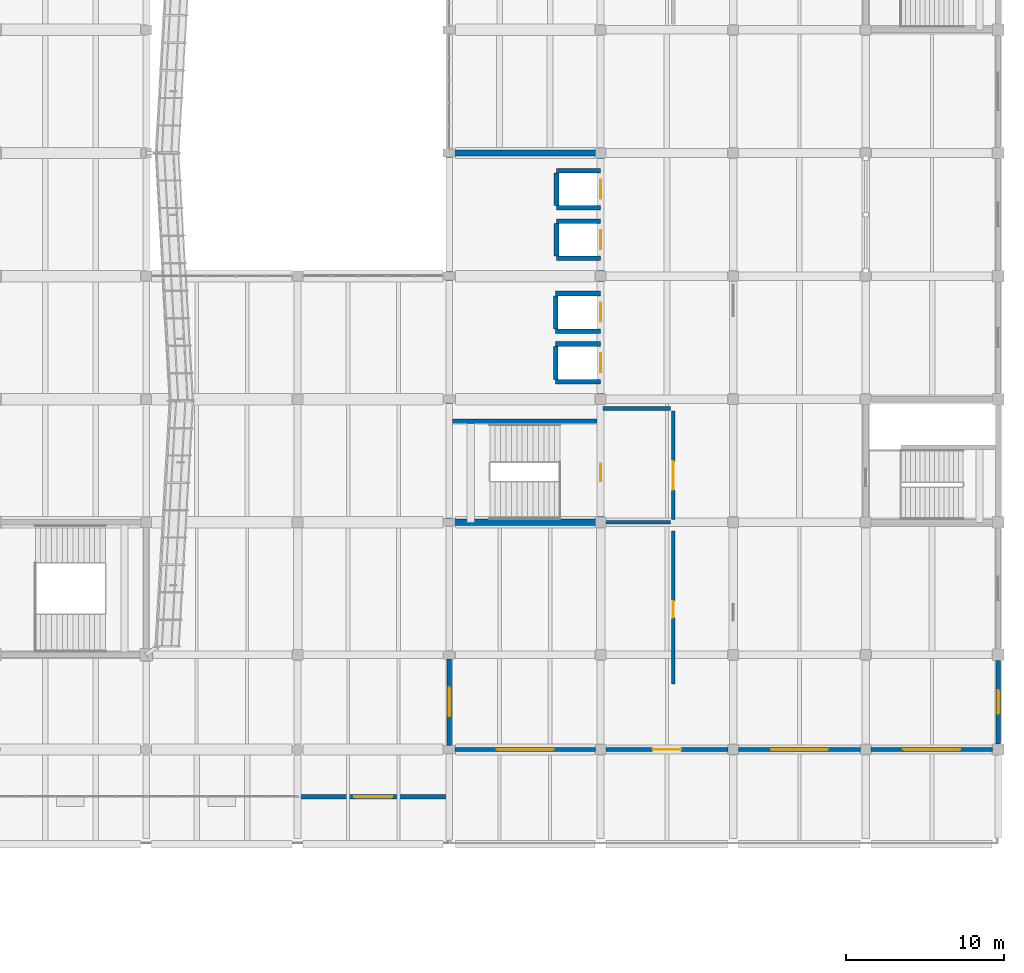
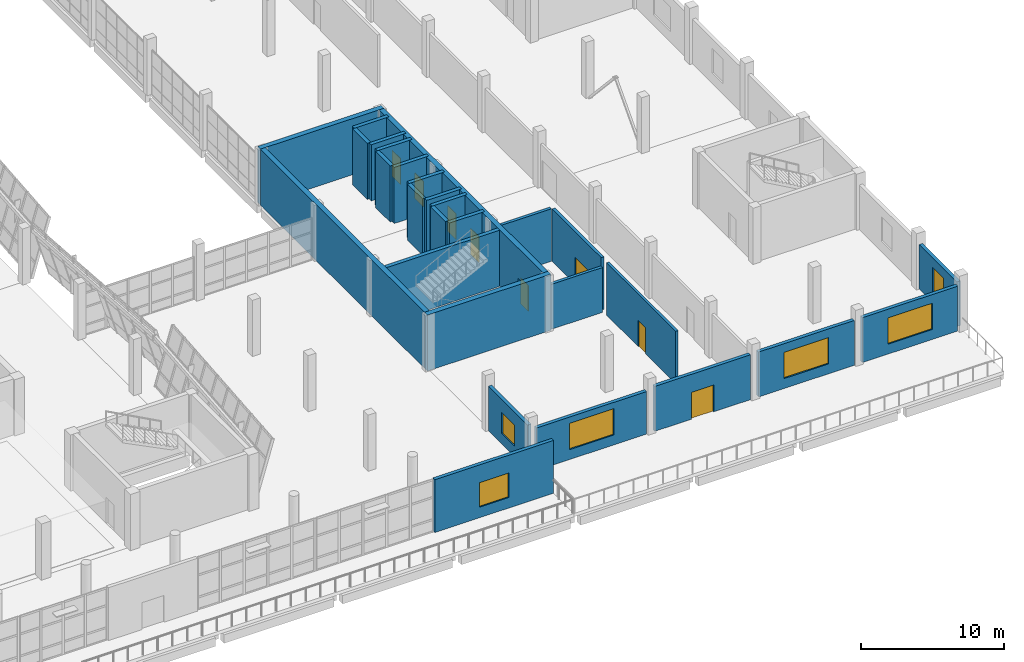
# One storey, part 68 of 79: 28 walls, 8 doors, 6 windows, 14 openings.
"""IFC4 building model written with IfcOpenShell, lengths in metres."""

from ifc_helpers import new_model, si_unit, direction, frame, frame_2d, origin, place, context, subcontext, project, spatial, rectangle, extrude, material, layer, layer_set, type_object, element, fill, save


model = new_model("IFC4")

# Units and contexts
model_context = context("Model", 3, precision=1e-05, world=origin(), true_north=direction((0.0, 1.0)))
body_context = subcontext(model_context, "Body", "Model", "MODEL_VIEW")
ifc_project = project(units=[si_unit("LENGTHUNIT", "METRE"), si_unit("AREAUNIT", "SQUARE_METRE"), si_unit("VOLUMEUNIT", "CUBIC_METRE"), si_unit("PLANEANGLEUNIT", "RADIAN"), si_unit("MASSUNIT", "GRAM", prefix="KILO")], contexts=[model_context])

# Site, building, storey
site_placement = place(None, origin())
site = spatial("IfcSite", under=ifc_project, at=site_placement, CompositionType="ELEMENT")
building_placement = place(site_placement, origin())
building = spatial("IfcBuilding", under=site, at=building_placement, Name="Pellamere Symphony Hall", CompositionType="ELEMENT")
storey_placement = place(building_placement, frame((0.0, 0.0, 10.199951171875)))
storey = spatial("IfcBuildingStorey", under=building, at=storey_placement, Name="L02", CompositionType="ELEMENT", Elevation=10.199951171875)

# Wall, opening, window
ifc_material_1 = material(Name="Architectural Limestone-Clad Insulated Backing Assembly", Category="masonry")
ifc_layer_1 = layer(ifc_material_1, 0.280029296875, Name="Architectural Limestone-Clad Insulated Backing Assembly")
ifc_layer_set_1 = layer_set([ifc_layer_1], Name="Architectural Limestone-Clad Insulated Backing Assembly")
wall_type_1 = type_object("IfcWallType", Name="Exterior Wall EW-03 280mm", PredefinedType="SOLIDWALL", material=ifc_layer_set_1)
wall_1_placement = place(storey_placement, frame((128.39990234375, 21.0, 0.0), z_axis=(0.0, 0.0, 1.0), x_axis=(1.0, 0.0, 0.0)))
wall_1 = element("IfcWall", 1, at=wall_1_placement, inside=storey, type_object=wall_type_1, Name="Exterior Wall EW-03-052 (L02)", PredefinedType="SOLIDWALL", context=body_context, shape_type="SweptSolid", body=[
    extrude(rectangle(XDim=9.60009765625, YDim=0.280029296875, at=frame_2d((4.800048828125, 0.0))), origin(), (0.0, 0.0, 1.0), 4.52001953125),
])
opening_1_placement = place(wall_1_placement, frame((3.60009765625, 0.0, 0.89990234375)))
opening_1 = element("IfcOpeningElement", 2, at=opening_1_placement, cuts=wall_1, Name="Opening W031", PredefinedType="OPENING", context=body_context, shape_type="SweptSolid", body=[
    extrude(rectangle(XDim=2.39990234375, YDim=2.10009765625, at=frame_2d((1.199951171875, 1.050048828125))), frame((0.0, 0.14990234375, 0.0), z_axis=(0.0, -1.0, 0.0), x_axis=(1.0, 0.0, 0.0)), (0.0, 0.0, 1.0), 0.300048828125),
])
ifc_material_2 = material(Name="Thermally Broken Aluminium Triple-Glazed Acoustic Window", Category="aluminium")
window_type_1 = type_object("IfcWindowType", Name="Window WN-02 2400x2100", PartitioningType="DOUBLE_PANEL_VERTICAL", PredefinedType="WINDOW", material=ifc_material_2)
window_1_placement = place(opening_1_placement, origin())
window_1 = element("IfcWindow", 3, at=window_1_placement, inside=storey, type_object=window_type_1, Name="Exterior Window W031 (L02)", OverallHeight=2.10009765625, OverallWidth=2.39990234375, PartitioningType="SINGLE_PANEL", PredefinedType="WINDOW", context=body_context, shape_type="SweptSolid", body=[
    extrude(rectangle(XDim=2.39990234375, YDim=2.10009765625, at=frame_2d((1.199951171875, 1.050048828125))), frame((0.0, 0.030029296875, 0.0), z_axis=(0.0, -1.0, 0.0), x_axis=(1.0, 0.0, 0.0)), (0.0, 0.0, 1.0), 0.06005859375),
])
fill(opening_1, window_1)

wall_2_placement = place(storey_placement, frame((138.375, 24.0, 0.0), z_axis=(0.0, 0.0, 1.0), x_axis=(1.0, 0.0, 0.0)))
wall_2 = element("IfcWall", 4, at=wall_2_placement, inside=storey, type_object=wall_type_1, Name="Exterior Wall EW-03-097 (L02)", PredefinedType="SOLIDWALL", context=body_context, shape_type="SweptSolid", body=[
    extrude(rectangle(XDim=8.89990234375, YDim=0.280029296875, at=frame_2d((4.449951171875, 0.0))), origin(), (0.0, 0.0, 1.0), 3.64013671875),
])
opening_2_placement = place(wall_2_placement, frame((2.64990234375, 0.0, 0.85009765625)))
opening_2 = element("IfcOpeningElement", 5, at=opening_2_placement, cuts=wall_2, Name="Opening W062", PredefinedType="OPENING", context=body_context, shape_type="SweptSolid", body=[
    extrude(rectangle(XDim=3.60009765625, YDim=2.25, at=frame_2d((1.800048828125, 1.125))), frame((0.0, 0.14990234375, 0.0), z_axis=(0.0, -1.0, 0.0), x_axis=(1.0, 0.0, 0.0)), (0.0, 0.0, 1.0), 0.300048828125),
])
window_type_2 = type_object("IfcWindowType", Name="Window WN-05 3600x2250", PartitioningType="TRIPLE_PANEL_VERTICAL", PredefinedType="WINDOW", material=ifc_material_2)
window_2_placement = place(opening_2_placement, origin())
window_2 = element("IfcWindow", 6, at=window_2_placement, inside=storey, type_object=window_type_2, Name="Exterior Window W062 (L02)", OverallHeight=2.25, OverallWidth=3.60009765625, PartitioningType="SINGLE_PANEL", PredefinedType="WINDOW", context=body_context, shape_type="SweptSolid", body=[
    extrude(rectangle(XDim=3.60009765625, YDim=2.25, at=frame_2d((1.800048828125, 1.125))), frame((0.0, 0.030029296875, 0.0), z_axis=(0.0, -1.0, 0.0), x_axis=(1.0, 0.0, 0.0)), (0.0, 0.0, 1.0), 0.06005859375),
])
fill(opening_2, window_2)

# Wall, opening, door
wall_3_placement = place(storey_placement, frame((147.925048828125, 24.0, 0.0), z_axis=(0.0, 0.0, 1.0), x_axis=(1.0, 0.0, 0.0)))
wall_3 = element("IfcWall", 7, at=wall_3_placement, inside=storey, type_object=wall_type_1, Name="Exterior Wall EW-03-098 (L02)", PredefinedType="SOLIDWALL", context=body_context, shape_type="SweptSolid", body=[
    extrude(rectangle(XDim=7.75, YDim=0.280029296875, at=frame_2d((3.875, 0.0))), origin(), (0.0, 0.0, 1.0), 3.840087890625),
])
opening_3_placement = place(wall_3_placement, frame((2.97509765625, 0.0, 0.0)))
opening_3 = element("IfcOpeningElement", 8, at=opening_3_placement, cuts=wall_3, Name="Opening TD-08", PredefinedType="OPENING", context=body_context, shape_type="SweptSolid", body=[
    extrude(rectangle(XDim=1.800048828125, YDim=2.300048828125, at=frame_2d((0.89990234375, 1.14990234375))), frame((0.0, 0.14990234375, 0.0), z_axis=(0.0, -1.0, 0.0), x_axis=(1.0, 0.0, 0.0)), (0.0, 0.0, 1.0), 0.300048828125),
])
ifc_material_3 = material(Name="Thermally Broken Bronze-Anodised Aluminium Acoustic Door", Category="aluminium")
door_type_1 = type_object("IfcDoorType", Name="Exterior Door ED-06 1800x2300", OperationType="NOTDEFINED", PredefinedType="DOOR", material=ifc_material_3)
door_1_placement = place(opening_3_placement, frame((1.800048828125, 0.0, 0.0), z_axis=(0.0, 0.0, 1.0), x_axis=(-1.0, 0.0, 0.0)))
door_1 = element("IfcDoor", 9, at=door_1_placement, inside=storey, type_object=door_type_1, Name="South Artists Roof Terrace Door", OperationType="DOUBLE_DOOR_SINGLE_SWING", OverallHeight=2.300048828125, OverallWidth=1.800048828125, PredefinedType="DOOR", context=body_context, shape_type="SweptSolid", body=[
    extrude(rectangle(XDim=1.800048828125, YDim=2.300048828125, at=frame_2d((0.89990234375, 1.14990234375))), frame((0.0, 0.02490234375, 0.0), z_axis=(0.0, -1.0, 0.0), x_axis=(1.0, 0.0, 0.0)), (0.0, 0.0, 1.0), 0.050048828125),
])
fill(opening_3, door_1)

# Wall, opening, window
wall_4_placement = place(storey_placement, frame((156.324951171875, 24.0, 0.0), z_axis=(0.0, 0.0, 1.0), x_axis=(1.0, 0.0, 0.0)))
wall_4 = element("IfcWall", 10, at=wall_4_placement, inside=storey, type_object=wall_type_1, Name="Exterior Wall EW-03-099 (L02)", PredefinedType="SOLIDWALL", context=body_context, shape_type="SweptSolid", body=[
    extrude(rectangle(XDim=7.75, YDim=0.280029296875, at=frame_2d((3.875, 0.0))), origin(), (0.0, 0.0, 1.0), 3.840087890625),
])
opening_4_placement = place(wall_4_placement, frame((2.074951171875, 0.0, 0.85009765625)))
opening_4 = element("IfcOpeningElement", 11, at=opening_4_placement, cuts=wall_4, Name="Opening W063", PredefinedType="OPENING", context=body_context, shape_type="SweptSolid", body=[
    extrude(rectangle(XDim=3.60009765625, YDim=2.25, at=frame_2d((1.800048828125, 1.125))), frame((0.0, 0.14990234375, 0.0), z_axis=(0.0, -1.0, 0.0), x_axis=(1.0, 0.0, 0.0)), (0.0, 0.0, 1.0), 0.300048828125),
])
window_3_placement = place(opening_4_placement, origin())
window_3 = element("IfcWindow", 12, at=window_3_placement, inside=storey, type_object=window_type_2, Name="Exterior Window W063 (L02)", OverallHeight=2.25, OverallWidth=3.60009765625, PartitioningType="SINGLE_PANEL", PredefinedType="WINDOW", context=body_context, shape_type="SweptSolid", body=[
    extrude(rectangle(XDim=3.60009765625, YDim=2.25, at=frame_2d((1.800048828125, 1.125))), frame((0.0, 0.030029296875, 0.0), z_axis=(0.0, -1.0, 0.0), x_axis=(1.0, 0.0, 0.0)), (0.0, 0.0, 1.0), 0.06005859375),
])
fill(opening_4, window_3)

wall_5_placement = place(storey_placement, frame((164.72509765625, 24.0, 0.0), z_axis=(0.0, 0.0, 1.0), x_axis=(1.0, 0.0, 0.0)))
wall_5 = element("IfcWall", 13, at=wall_5_placement, inside=storey, type_object=wall_type_1, Name="Exterior Wall EW-03-100 (L02)", PredefinedType="SOLIDWALL", context=body_context, shape_type="SweptSolid", body=[
    extrude(rectangle(XDim=7.71484375, YDim=0.280029296875, at=frame_2d((3.857421875, 0.0))), origin(), (0.0, 0.0, 1.0), 3.840087890625),
])
opening_5_placement = place(wall_5_placement, frame((2.0576171875, 0.0, 0.85009765625)))
opening_5 = element("IfcOpeningElement", 14, at=opening_5_placement, cuts=wall_5, Name="Opening W064", PredefinedType="OPENING", context=body_context, shape_type="SweptSolid", body=[
    extrude(rectangle(XDim=3.60009765625, YDim=2.25, at=frame_2d((1.800048828125, 1.125))), frame((0.0, 0.14990234375, 0.0), z_axis=(0.0, -1.0, 0.0), x_axis=(1.0, 0.0, 0.0)), (0.0, 0.0, 1.0), 0.300048828125),
])
window_4_placement = place(opening_5_placement, origin())
window_4 = element("IfcWindow", 15, at=window_4_placement, inside=storey, type_object=window_type_2, Name="Exterior Window W064 (L02)", OverallHeight=2.25, OverallWidth=3.60009765625, PartitioningType="SINGLE_PANEL", PredefinedType="WINDOW", context=body_context, shape_type="SweptSolid", body=[
    extrude(rectangle(XDim=3.60009765625, YDim=2.25, at=frame_2d((1.800048828125, 1.125))), frame((0.0, 0.030029296875, 0.0), z_axis=(0.0, -1.0, 0.0), x_axis=(1.0, 0.0, 0.0)), (0.0, 0.0, 1.0), 0.06005859375),
])
fill(opening_5, window_4)

wall_6_placement = place(storey_placement, frame((172.800048828125, 24.360107421875, 0.0), z_axis=(0.0, 0.0, 1.0), x_axis=(0.0, 1.0, 0.0)))
wall_6 = element("IfcWall", 16, at=wall_6_placement, inside=storey, type_object=wall_type_1, Name="Exterior Wall EW-03-104 (L02)", PredefinedType="SOLIDWALL", context=body_context, shape_type="SweptSolid", body=[
    extrude(rectangle(XDim=5.27978515625, YDim=0.280029296875, at=frame_2d((2.639892578125, 0.0))), origin(), (0.0, 0.0, 1.0), 3.820068359375),
])
opening_6_placement = place(wall_6_placement, frame((1.889892578125, 0.0, 0.89990234375)))
opening_6 = element("IfcOpeningElement", 17, at=opening_6_placement, cuts=wall_6, Name="Opening W067", PredefinedType="OPENING", context=body_context, shape_type="SweptSolid", body=[
    extrude(rectangle(XDim=1.5, YDim=2.10009765625, at=frame_2d((0.75, 1.050048828125))), frame((0.0, 0.14990234375, 0.0), z_axis=(0.0, -1.0, 0.0), x_axis=(1.0, 0.0, 0.0)), (0.0, 0.0, 1.0), 0.300048828125),
])
window_type_3 = type_object("IfcWindowType", Name="Window WN-01 1500x2100", PartitioningType="SINGLE_PANEL", PredefinedType="WINDOW", material=ifc_material_2)
window_5_placement = place(opening_6_placement, origin())
window_5 = element("IfcWindow", 18, at=window_5_placement, inside=storey, type_object=window_type_3, Name="Exterior Window W067 (L02)", OverallHeight=2.10009765625, OverallWidth=1.5, PartitioningType="SINGLE_PANEL", PredefinedType="WINDOW", context=body_context, shape_type="SweptSolid", body=[
    extrude(rectangle(XDim=1.5, YDim=2.10009765625, at=frame_2d((0.75, 1.050048828125))), frame((0.0, 0.030029296875, 0.0), z_axis=(0.0, -1.0, 0.0), x_axis=(1.0, 0.0, 0.0)), (0.0, 0.0, 1.0), 0.06005859375),
])
fill(opening_6, window_5)

wall_7_placement = place(storey_placement, frame((138.0, 24.25, 0.0), z_axis=(0.0, 0.0, 1.0), x_axis=(0.0, 1.0, 0.0)))
wall_7 = element("IfcWall", 19, at=wall_7_placement, inside=storey, type_object=wall_type_1, Name="Exterior Wall EW-03-110 (L02)", PredefinedType="SOLIDWALL", context=body_context, shape_type="SweptSolid", body=[
    extrude(rectangle(XDim=5.5, YDim=0.280029296875, at=frame_2d((2.75, 0.0))), origin(), (0.0, 0.0, 1.0), 3.820068359375),
])
opening_7_placement = place(wall_7_placement, frame((1.85009765625, 0.0, 0.89990234375)))
opening_7 = element("IfcOpeningElement", 20, at=opening_7_placement, cuts=wall_7, Name="Opening W073", PredefinedType="OPENING", context=body_context, shape_type="SweptSolid", body=[
    extrude(rectangle(XDim=1.800048828125, YDim=1.800048828125, at=frame_2d((0.89990234375, 0.89990234375))), frame((0.0, 0.14990234375, 0.0), z_axis=(0.0, -1.0, 0.0), x_axis=(1.0, 0.0, 0.0)), (0.0, 0.0, 1.0), 0.300048828125),
])
window_type_4 = type_object("IfcWindowType", Name="Window WN-03 1800x1800", PartitioningType="DOUBLE_PANEL_VERTICAL", PredefinedType="WINDOW", material=ifc_material_2)
window_6_placement = place(opening_7_placement, origin())
window_6 = element("IfcWindow", 21, at=window_6_placement, inside=storey, type_object=window_type_4, Name="Exterior Window W073 (L02)", OverallHeight=1.800048828125, OverallWidth=1.800048828125, PartitioningType="SINGLE_PANEL", PredefinedType="WINDOW", context=body_context, shape_type="SweptSolid", body=[
    extrude(rectangle(XDim=1.800048828125, YDim=1.800048828125, at=frame_2d((0.89990234375, 0.89990234375))), frame((0.0, 0.030029296875, 0.0), z_axis=(0.0, -1.0, 0.0), x_axis=(1.0, 0.0, 0.0)), (0.0, 0.0, 1.0), 0.06005859375),
])
fill(opening_7, window_6)

# Walls
ifc_material_4 = material(Name="Double-Stud STC-65 Acoustic Drywall Partition", Category="gypsum")
ifc_layer_2 = layer(ifc_material_4, 0.239990234375, Name="Double-Stud STC-65 Acoustic Drywall Partition")
ifc_layer_set_2 = layer_set([ifc_layer_2], Name="Double-Stud STC-65 Acoustic Drywall Partition")
wall_type_2 = type_object("IfcWallType", Name="Interior Partition IW-01 240mm", PredefinedType="PARTITIONING", material=ifc_layer_set_2)
wall_8_placement = place(storey_placement, frame((147.760009765625, 38.39990234375, 0.0), z_axis=(0.0, 0.0, 1.0), x_axis=(1.0, 0.0, 0.0)))
element("IfcWall", 22, at=wall_8_placement, inside=storey, type_object=wall_type_2, Name="Interior Partition IW-01-030 (L02)", PredefinedType="PARTITIONING", context=body_context, shape_type="SweptSolid", body=[
    extrude(rectangle(XDim=4.280029296875, YDim=0.239990234375, at=frame_2d((2.14013671875, 0.0))), origin(), (0.0, 0.0, 1.0), 3.840087890625),
])
wall_9_placement = place(storey_placement, frame((147.760009765625, 45.60009765625, 0.0), z_axis=(0.0, 0.0, 1.0), x_axis=(1.0, 0.0, 0.0)))
element("IfcWall", 23, at=wall_9_placement, inside=storey, type_object=wall_type_2, Name="Interior Partition IW-01-031 (L02)", PredefinedType="PARTITIONING", context=body_context, shape_type="SweptSolid", body=[
    extrude(rectangle(XDim=4.280029296875, YDim=0.239990234375, at=frame_2d((2.14013671875, 0.0))), origin(), (0.0, 0.0, 1.0), 4.489990234375),
])

# Wall, opening, door
wall_10_placement = place(storey_placement, frame((152.199951171875, 38.56005859375, 0.0), z_axis=(0.0, 0.0, 1.0), x_axis=(0.0, 1.0, 0.0)))
wall_10 = element("IfcWall", 24, at=wall_10_placement, inside=storey, type_object=wall_type_2, Name="Interior Partition IW-01-032 (L02)", PredefinedType="PARTITIONING", context=body_context, shape_type="SweptSolid", body=[
    extrude(rectangle(XDim=6.8798828125, YDim=0.239990234375, at=frame_2d((3.43994140625, 0.0))), origin(), (0.0, 0.0, 1.0), 4.489990234375),
])
opening_8_placement = place(wall_10_placement, frame((1.89990234375, 0.0, 0.0)))
opening_8 = element("IfcOpeningElement", 25, at=opening_8_placement, cuts=wall_10, Name="Opening FD-14", PredefinedType="OPENING", context=body_context, shape_type="SweptSolid", body=[
    extrude(rectangle(XDim=1.800048828125, YDim=2.300048828125, at=frame_2d((0.89990234375, 1.14990234375))), frame((0.0, 0.1298828125, 0.0), z_axis=(0.0, -1.0, 0.0), x_axis=(1.0, 0.0, 0.0)), (0.0, 0.0, 1.0), 0.260009765625),
])
ifc_material_5 = material(Name="Fire-Rated Cross-Corridor Double Door", Category="wood")
door_type_2 = type_object("IfcDoorType", Name="Interior Door ID-FD1 1800x2300", OperationType="NOTDEFINED", PredefinedType="DOOR", material=ifc_material_5)
door_2_placement = place(opening_8_placement, origin())
door_2 = element("IfcDoor", 26, at=door_2_placement, inside=storey, type_object=door_type_2, Name="Firefighting Lobby C2 Foyer Entry Door (L02)", OperationType="DOUBLE_DOOR_SINGLE_SWING", OverallHeight=2.300048828125, OverallWidth=1.800048828125, PredefinedType="DOOR", context=body_context, shape_type="SweptSolid", body=[
    extrude(rectangle(XDim=1.800048828125, YDim=2.300048828125, at=frame_2d((0.89990234375, 1.14990234375))), frame((0.0, 0.02490234375, 0.0), z_axis=(0.0, -1.0, 0.0), x_axis=(1.0, 0.0, 0.0)), (0.0, 0.0, 1.0), 0.050048828125),
])
fill(opening_8, door_2)

ifc_material_6 = material(Name="Fire-Rated STC-58 Corridor Acoustic Partition", Category="gypsum")
ifc_layer_3 = layer(ifc_material_6, 0.199951171875, Name="Fire-Rated STC-58 Corridor Acoustic Partition")
ifc_layer_set_3 = layer_set([ifc_layer_3], Name="Fire-Rated STC-58 Corridor Acoustic Partition")
wall_type_3 = type_object("IfcWallType", Name="Interior Partition IW-02 200mm", PredefinedType="PARTITIONING", material=ifc_layer_set_3)
wall_11_placement = place(storey_placement, frame((152.199951171875, 28.159912109375, 0.0), z_axis=(0.0, 0.0, 1.0), x_axis=(0.0, 1.0, 0.0)))
wall_11 = element("IfcWall", 27, at=wall_11_placement, inside=storey, type_object=wall_type_3, Name="Interior Partition IW-02-084 (L02)", PredefinedType="PARTITIONING", context=body_context, shape_type="SweptSolid", body=[
    extrude(rectangle(XDim=9.68017578125, YDim=0.199951171875, at=frame_2d((4.840087890625, 0.0))), origin(), (0.0, 0.0, 1.0), 4.489990234375),
])
opening_9_placement = place(wall_11_placement, frame((4.199951171875, 0.0, 0.0)))
opening_9 = element("IfcOpeningElement", 28, at=opening_9_placement, cuts=wall_11, Name="Opening ID-AD2-046", PredefinedType="OPENING", context=body_context, shape_type="SweptSolid", body=[
    extrude(rectangle(XDim=1.050048828125, YDim=2.25, at=frame_2d((0.52490234375, 1.125))), frame((0.0, 0.10986328125, 0.0), z_axis=(0.0, -1.0, 0.0), x_axis=(1.0, 0.0, 0.0)), (0.0, 0.0, 1.0), 0.219970703125),
])
ifc_material_7 = material(Name="STC-50 Oak Acoustic Studio Door", Category="wood")
door_type_3 = type_object("IfcDoorType", Name="Interior Door ID-AD2 1050x2250", OperationType="NOTDEFINED", PredefinedType="DOOR", material=ifc_material_7)
door_3_placement = place(opening_9_placement, origin())
door_3 = element("IfcDoor", 29, at=door_3_placement, inside=storey, type_object=door_type_3, Name="Chamber Strings Studio Door", OperationType="SINGLE_SWING_LEFT", OverallHeight=2.25, OverallWidth=1.050048828125, PredefinedType="DOOR", context=body_context, shape_type="SweptSolid", body=[
    extrude(rectangle(XDim=1.050048828125, YDim=2.25, at=frame_2d((0.52490234375, 1.125))), frame((0.0, 0.02490234375, 0.0), z_axis=(0.0, -1.0, 0.0), x_axis=(1.0, 0.0, 0.0)), (0.0, 0.0, 1.0), 0.050048828125),
])
fill(opening_9, door_3)

# Walls
ifc_material_8 = material(Name="Concrete 50 MPa", Category="concrete")
ifc_layer_4 = layer(ifc_material_8, 0.39990234375, Name="Concrete 50 MPa")
ifc_layer_set_4 = layer_set([ifc_layer_4], Name="Concrete 50 MPa")
wall_type_4 = type_object("IfcWallType", Name="Structural Wall SW-02 400mm", PredefinedType="SHEAR", material=ifc_layer_set_4)
for number, where, z_axis, x_axis, name in (
    (30, (137.800048828125, 38.39990234375, 0.0), (0.0, 0.0, 1.0), (1.0, 0.0, 0.0), "Core Shear Wall C2 S (L02)"),
    (31, (137.800048828125, 61.800048828125, 0.0), (0.0, 0.0, 1.0), (1.0, 0.0, 0.0), "Core Shear Wall C2 N (L02)"),
):
    element("IfcWall", number, at=place(storey_placement, frame(where, z_axis=z_axis, x_axis=x_axis)), inside=storey, type_object=wall_type_4, Name=name, PredefinedType="SHEAR", context=body_context, shape_type="SweptSolid", body=[
        extrude(rectangle(XDim=10.0, YDim=0.39990234375, at=frame_2d((5.0, 0.0))), origin(), (0.0, 0.0, 1.0), 4.800048828125),
    ])
wall_12_placement = place(storey_placement, frame((138.0, 38.60009765625, 0.0), z_axis=(0.0, 0.0, 1.0), x_axis=(0.0, 1.0, 0.0)))
element("IfcWall", 32, at=wall_12_placement, inside=storey, type_object=wall_type_4, Name="Core Shear Wall C2 W (L02)", PredefinedType="SHEAR", context=body_context, shape_type="SweptSolid", body=[
    extrude(rectangle(XDim=23.0, YDim=0.39990234375, at=frame_2d((11.5, 0.0))), origin(), (0.0, 0.0, 1.0), 4.800048828125),
])

# Wall, openings, doors
wall_13_placement = place(storey_placement, frame((147.60009765625, 38.60009765625, 0.0), z_axis=(0.0, 0.0, 1.0), x_axis=(0.0, 1.0, 0.0)))
wall_13 = element("IfcWall", 33, at=wall_13_placement, inside=storey, type_object=wall_type_4, Name="Core Shear Wall C2 E (L02)", PredefinedType="SHEAR", context=body_context, shape_type="SweptSolid", body=[
    extrude(rectangle(XDim=23.0, YDim=0.39990234375, at=frame_2d((11.5, 0.0))), origin(), (0.0, 0.0, 1.0), 4.800048828125),
])
opening_10_placement = place(wall_13_placement, frame((9.300048828125, 0.0, 0.0)))
opening_10 = element("IfcOpeningElement", 34, at=opening_10_placement, cuts=wall_13, Name="Opening LD-16", PredefinedType="OPENING", context=body_context, shape_type="SweptSolid", body=[
    extrude(rectangle(XDim=1.199951171875, YDim=2.199951171875, at=frame_2d((0.60009765625, 1.10009765625))), frame((0.0, 0.2099609375, 0.0), z_axis=(0.0, -1.0, 0.0), x_axis=(1.0, 0.0, 0.0)), (0.0, 0.0, 1.0), 0.419921875),
])
opening_11_placement = place(wall_13_placement, frame((12.5, 0.0, 0.0)))
opening_11 = element("IfcOpeningElement", 35, at=opening_11_placement, cuts=wall_13, Name="Opening LD-24", PredefinedType="OPENING", context=body_context, shape_type="SweptSolid", body=[
    extrude(rectangle(XDim=1.199951171875, YDim=2.199951171875, at=frame_2d((0.60009765625, 1.10009765625))), frame((0.0, 0.2099609375, 0.0), z_axis=(0.0, -1.0, 0.0), x_axis=(1.0, 0.0, 0.0)), (0.0, 0.0, 1.0), 0.419921875),
])
opening_12_placement = place(wall_13_placement, frame((17.10009765625, 0.0, 0.0)))
opening_12 = element("IfcOpeningElement", 36, at=opening_12_placement, cuts=wall_13, Name="Opening LD-32", PredefinedType="OPENING", context=body_context, shape_type="SweptSolid", body=[
    extrude(rectangle(XDim=1.199951171875, YDim=2.199951171875, at=frame_2d((0.60009765625, 1.10009765625))), frame((0.0, 0.2099609375, 0.0), z_axis=(0.0, -1.0, 0.0), x_axis=(1.0, 0.0, 0.0)), (0.0, 0.0, 1.0), 0.419921875),
])
opening_13_placement = place(wall_13_placement, frame((20.300048828125, 0.0, 0.0)))
opening_13 = element("IfcOpeningElement", 37, at=opening_13_placement, cuts=wall_13, Name="Opening LD-39", PredefinedType="OPENING", context=body_context, shape_type="SweptSolid", body=[
    extrude(rectangle(XDim=1.199951171875, YDim=2.199951171875, at=frame_2d((0.60009765625, 1.10009765625))), frame((0.0, 0.2099609375, 0.0), z_axis=(0.0, -1.0, 0.0), x_axis=(1.0, 0.0, 0.0)), (0.0, 0.0, 1.0), 0.419921875),
])
opening_14_placement = place(wall_13_placement, frame((2.39990234375, 0.0, 0.0)))
opening_14 = element("IfcOpeningElement", 38, at=opening_14_placement, cuts=wall_13, Name="Opening SD-10", PredefinedType="OPENING", context=body_context, shape_type="SweptSolid", body=[
    extrude(rectangle(XDim=1.10009765625, YDim=2.199951171875, at=frame_2d((0.550048828125, 1.10009765625))), frame((0.0, 0.2099609375, 0.0), z_axis=(0.0, -1.0, 0.0), x_axis=(1.0, 0.0, 0.0)), (0.0, 0.0, 1.0), 0.419921875),
])
ifc_material_9 = material(Name="Stainless Steel AISI 316 Elevator Landing Door", Category="steel")
door_type_4 = type_object("IfcDoorType", Name="Interior Door ID-LD1 1200x2200", OperationType="NOTDEFINED", PredefinedType="DOOR", material=ifc_material_9)
door_4_placement = place(opening_10_placement, origin())
door_4 = element("IfcDoor", 39, at=door_4_placement, inside=storey, type_object=door_type_4, Name="Elevator FFL1 Sliding Landing Door (L02)", OperationType="SLIDING_TO_RIGHT", OverallHeight=2.199951171875, OverallWidth=1.199951171875, PredefinedType="DOOR", context=body_context, shape_type="SweptSolid", body=[
    extrude(rectangle(XDim=1.199951171875, YDim=2.199951171875, at=frame_2d((0.60009765625, 1.10009765625))), frame((0.0, 0.02490234375, 0.0), z_axis=(0.0, -1.0, 0.0), x_axis=(1.0, 0.0, 0.0)), (0.0, 0.0, 1.0), 0.050048828125),
])
fill(opening_10, door_4)
door_5_placement = place(opening_11_placement, origin())
door_5 = element("IfcDoor", 40, at=door_5_placement, inside=storey, type_object=door_type_4, Name="Elevator FFL2 Sliding Landing Door (L02)", OperationType="SLIDING_TO_RIGHT", OverallHeight=2.199951171875, OverallWidth=1.199951171875, PredefinedType="DOOR", context=body_context, shape_type="SweptSolid", body=[
    extrude(rectangle(XDim=1.199951171875, YDim=2.199951171875, at=frame_2d((0.60009765625, 1.10009765625))), frame((0.0, 0.02490234375, 0.0), z_axis=(0.0, -1.0, 0.0), x_axis=(1.0, 0.0, 0.0)), (0.0, 0.0, 1.0), 0.050048828125),
])
fill(opening_11, door_5)
door_6_placement = place(opening_12_placement, origin())
door_6 = element("IfcDoor", 41, at=door_6_placement, inside=storey, type_object=door_type_4, Name="Elevator PL3 Sliding Landing Door (L02)", OperationType="SLIDING_TO_RIGHT", OverallHeight=2.199951171875, OverallWidth=1.199951171875, PredefinedType="DOOR", context=body_context, shape_type="SweptSolid", body=[
    extrude(rectangle(XDim=1.199951171875, YDim=2.199951171875, at=frame_2d((0.60009765625, 1.10009765625))), frame((0.0, 0.02490234375, 0.0), z_axis=(0.0, -1.0, 0.0), x_axis=(1.0, 0.0, 0.0)), (0.0, 0.0, 1.0), 0.050048828125),
])
fill(opening_12, door_6)
door_7_placement = place(opening_13_placement, origin())
door_7 = element("IfcDoor", 42, at=door_7_placement, inside=storey, type_object=door_type_4, Name="Elevator PL4 Sliding Landing Door (L02)", OperationType="SLIDING_TO_LEFT", OverallHeight=2.199951171875, OverallWidth=1.199951171875, PredefinedType="DOOR", context=body_context, shape_type="SweptSolid", body=[
    extrude(rectangle(XDim=1.199951171875, YDim=2.199951171875, at=frame_2d((0.60009765625, 1.10009765625))), frame((0.0, 0.02490234375, 0.0), z_axis=(0.0, -1.0, 0.0), x_axis=(1.0, 0.0, 0.0)), (0.0, 0.0, 1.0), 0.050048828125),
])
fill(opening_13, door_7)
ifc_material_10 = material(Name="Fire-Rated Steel Exit Stair Door", Category="steel")
door_type_5 = type_object("IfcDoorType", Name="Interior Door ID-SD1 1100x2200", OperationType="NOTDEFINED", PredefinedType="DOOR", material=ifc_material_10)
door_8_placement = place(opening_14_placement, origin())
door_8 = element("IfcDoor", 43, at=door_8_placement, inside=storey, type_object=door_type_5, Name="Core C2 Exit Stair Door (L02)", OperationType="SINGLE_SWING_RIGHT", OverallHeight=2.199951171875, OverallWidth=1.10009765625, PredefinedType="DOOR", context=body_context, shape_type="SweptSolid", body=[
    extrude(rectangle(XDim=1.10009765625, YDim=2.199951171875, at=frame_2d((0.550048828125, 1.10009765625))), frame((0.0, 0.02490234375, 0.0), z_axis=(0.0, -1.0, 0.0), x_axis=(1.0, 0.0, 0.0)), (0.0, 0.0, 1.0), 0.050048828125),
])
fill(opening_14, door_8)

# Walls
ifc_material_11 = material(Name="Concrete 40 MPa", Category="concrete")
ifc_layer_5 = layer(ifc_material_11, 0.300048828125, Name="Concrete 40 MPa")
ifc_layer_set_5 = layer_set([ifc_layer_5], Name="Concrete 40 MPa")
wall_type_5 = type_object("IfcWallType", Name="Structural Wall SW-04 300mm", PredefinedType="SHEAR", material=ifc_layer_set_5)
for number, where, z_axis, x_axis, name in (
    (44, (144.75, 47.300048828125, 0.0), (0.0, 0.0, 1.0), (1.0, 0.0, 0.0), "Elevator FFL1 Hoistway Wall S (L02)"),
    (45, (144.75, 49.699951171875, 0.0), (0.0, 0.0, 1.0), (1.0, 0.0, 0.0), "Elevator FFL1 Hoistway Wall N (L02)"),
):
    element("IfcWall", number, at=place(storey_placement, frame(where, z_axis=z_axis, x_axis=x_axis)), inside=storey, type_object=wall_type_5, Name=name, PredefinedType="SHEAR", context=body_context, shape_type="SweptSolid", body=[
        extrude(rectangle(XDim=2.85009765625, YDim=0.300048828125, at=frame_2d((1.425048828125, 0.0))), origin(), (0.0, 0.0, 1.0), 4.800048828125),
    ])
wall_14_placement = place(storey_placement, frame((144.75, 47.449951171875, 0.0), z_axis=(0.0, 0.0, 1.0), x_axis=(0.0, 1.0, 0.0)))
element("IfcWall", 46, at=wall_14_placement, inside=storey, type_object=wall_type_5, Name="Elevator FFL1 Hoistway Wall W (L02)", PredefinedType="SHEAR", context=body_context, shape_type="SweptSolid", body=[
    extrude(rectangle(XDim=2.10009765625, YDim=0.300048828125, at=frame_2d((1.050048828125, 0.0))), origin(), (0.0, 0.0, 1.0), 4.800048828125),
])
for number, where, z_axis, x_axis, name in (
    (47, (144.75, 50.5, 0.0), (0.0, 0.0, 1.0), (1.0, 0.0, 0.0), "Elevator FFL2 Hoistway Wall S (L02)"),
    (48, (144.75, 52.89990234375, 0.0), (0.0, 0.0, 1.0), (1.0, 0.0, 0.0), "Elevator FFL2 Hoistway Wall N (L02)"),
):
    element("IfcWall", number, at=place(storey_placement, frame(where, z_axis=z_axis, x_axis=x_axis)), inside=storey, type_object=wall_type_5, Name=name, PredefinedType="SHEAR", context=body_context, shape_type="SweptSolid", body=[
        extrude(rectangle(XDim=2.85009765625, YDim=0.300048828125, at=frame_2d((1.425048828125, 0.0))), origin(), (0.0, 0.0, 1.0), 4.800048828125),
    ])
wall_15_placement = place(storey_placement, frame((144.75, 50.64990234375, 0.0), z_axis=(0.0, 0.0, 1.0), x_axis=(0.0, 1.0, 0.0)))
element("IfcWall", 49, at=wall_15_placement, inside=storey, type_object=wall_type_5, Name="Elevator FFL2 Hoistway Wall W (L02)", PredefinedType="SHEAR", context=body_context, shape_type="SweptSolid", body=[
    extrude(rectangle(XDim=2.10009765625, YDim=0.300048828125, at=frame_2d((1.050048828125, 0.0))), origin(), (0.0, 0.0, 1.0), 4.800048828125),
])
for number, where, z_axis, x_axis, name in (
    (50, (144.800048828125, 55.125, 0.0), (0.0, 0.0, 1.0), (1.0, 0.0, 0.0), "Elevator PL3 Hoistway Wall S (L02)"),
    (51, (144.800048828125, 57.47509765625, 0.0), (0.0, 0.0, 1.0), (1.0, 0.0, 0.0), "Elevator PL3 Hoistway Wall N (L02)"),
):
    element("IfcWall", number, at=place(storey_placement, frame(where, z_axis=z_axis, x_axis=x_axis)), inside=storey, type_object=wall_type_5, Name=name, PredefinedType="SHEAR", context=body_context, shape_type="SweptSolid", body=[
        extrude(rectangle(XDim=2.800048828125, YDim=0.300048828125, at=frame_2d((1.39990234375, 0.0))), origin(), (0.0, 0.0, 1.0), 4.800048828125),
    ])
wall_16_placement = place(storey_placement, frame((144.800048828125, 55.27490234375, 0.0), z_axis=(0.0, 0.0, 1.0), x_axis=(0.0, 1.0, 0.0)))
element("IfcWall", 52, at=wall_16_placement, inside=storey, type_object=wall_type_5, Name="Elevator PL3 Hoistway Wall W (L02)", PredefinedType="SHEAR", context=body_context, shape_type="SweptSolid", body=[
    extrude(rectangle(XDim=2.050048828125, YDim=0.300048828125, at=frame_2d((1.02490234375, 0.0))), origin(), (0.0, 0.0, 1.0), 4.800048828125),
])
for number, where, z_axis, x_axis, name in (
    (53, (144.800048828125, 58.324951171875, 0.0), (0.0, 0.0, 1.0), (1.0, 0.0, 0.0), "Elevator PL4 Hoistway Wall S (L02)"),
    (54, (144.800048828125, 60.675048828125, 0.0), (0.0, 0.0, 1.0), (1.0, 0.0, 0.0), "Elevator PL4 Hoistway Wall N (L02)"),
):
    element("IfcWall", number, at=place(storey_placement, frame(where, z_axis=z_axis, x_axis=x_axis)), inside=storey, type_object=wall_type_5, Name=name, PredefinedType="SHEAR", context=body_context, shape_type="SweptSolid", body=[
        extrude(rectangle(XDim=2.800048828125, YDim=0.300048828125, at=frame_2d((1.39990234375, 0.0))), origin(), (0.0, 0.0, 1.0), 4.800048828125),
    ])
wall_17_placement = place(storey_placement, frame((144.800048828125, 58.47509765625, 0.0), z_axis=(0.0, 0.0, 1.0), x_axis=(0.0, 1.0, 0.0)))
element("IfcWall", 55, at=wall_17_placement, inside=storey, type_object=wall_type_5, Name="Elevator PL4 Hoistway Wall W (L02)", PredefinedType="SHEAR", context=body_context, shape_type="SweptSolid", body=[
    extrude(rectangle(XDim=2.0498046875, YDim=0.300048828125, at=frame_2d((1.02490234375, 0.0))), origin(), (0.0, 0.0, 1.0), 4.800048828125),
])
ifc_layer_6 = layer(ifc_material_11, 0.31005859375, Name="Concrete 40 MPa")
ifc_layer_set_6 = layer_set([ifc_layer_6], Name="Concrete 40 MPa")
wall_type_6 = type_object("IfcWallType", Name="Structural Wall SW-08 310mm", PredefinedType="SHEAR", material=ifc_layer_set_6)
wall_18_placement = place(storey_placement, frame((138.219970703125, 44.800048828125, 0.0), z_axis=(0.0, 0.0, 1.0), x_axis=(1.0, 0.0, 0.0)))
element("IfcWall", 56, at=wall_18_placement, inside=storey, type_object=wall_type_6, Name="Core Stair Divider Wall C2 (L02)", PredefinedType="SHEAR", context=body_context, shape_type="SweptSolid", body=[
    extrude(rectangle(XDim=9.159912109375, YDim=0.31005859375, at=frame_2d((4.580078125, 0.0))), origin(), (0.0, 0.0, 1.0), 4.800048828125),
])

save(model, "model.ifc")
